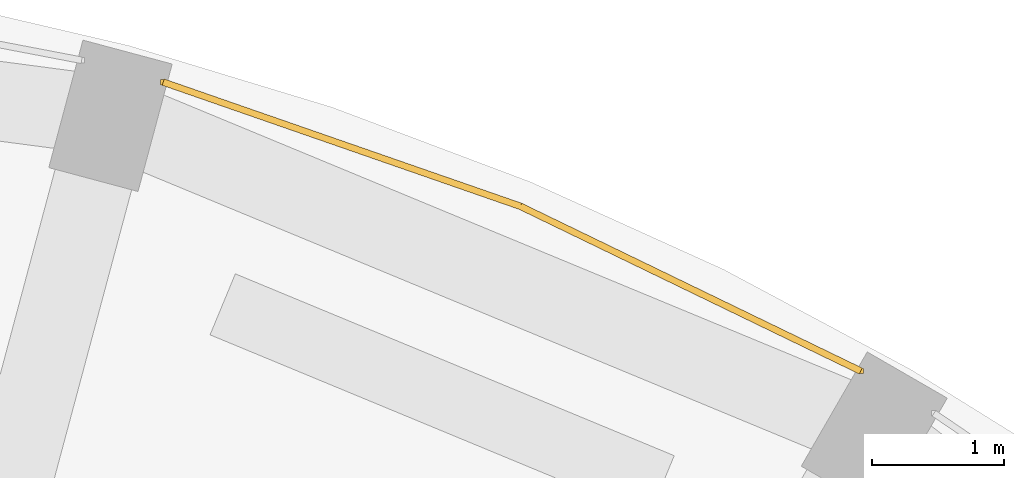
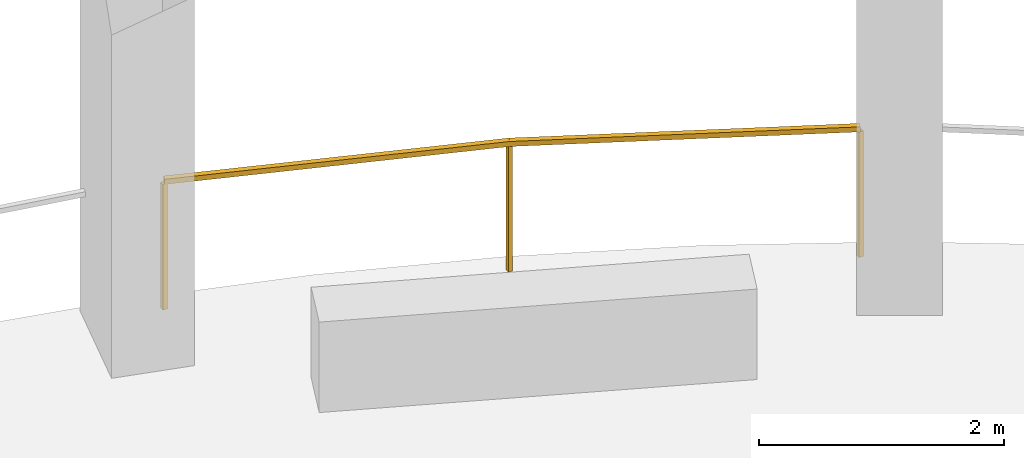
# One storey, part 9 of 9: 1 railing.
"""IFC4 building model written with IfcOpenShell, lengths in metres."""

from ifc_helpers import new_model, si_unit, direction, frame, origin, origin_2d, place, context, subcontext, project, spatial, rectangle, extrude, material, type_object, element, save


model = new_model("IFC4")

# Units and contexts
model_context = context("Model", 3, precision=1e-05, world=origin(), true_north=direction((0.0, 1.0)))
body_context = subcontext(model_context, "Body", "Model", "MODEL_VIEW")
ifc_project = project(units=[si_unit("LENGTHUNIT", "METRE"), si_unit("AREAUNIT", "SQUARE_METRE"), si_unit("VOLUMEUNIT", "CUBIC_METRE"), si_unit("PLANEANGLEUNIT", "RADIAN"), si_unit("MASSUNIT", "GRAM", prefix="KILO")], contexts=[model_context])

# Site, building, storey
site_placement = place(None, origin())
site = spatial("IfcSite", under=ifc_project, at=site_placement, CompositionType="ELEMENT")
building_placement = place(site_placement, origin())
building = spatial("IfcBuilding", under=site, at=building_placement, Name="Torre Triforio", CompositionType="ELEMENT")
storey_placement = place(building_placement, frame((0.0, 0.0, 233.5)))
storey = spatial("IfcBuildingStorey", under=building, at=storey_placement, Name="L53", CompositionType="ELEMENT", Elevation=233.5)

# Railing
ifc_material = material(Name="Stainless steel AISI 316", Category="steel")
railing_type = type_object("IfcRailingType", Name="Loggia guard 1300", PredefinedType="GUARDRAIL", material=ifc_material)
railing_placement = place(storey_placement, frame((11.89794921875, 21.247802734375, 0.0)))
element("IfcRailing", 1, at=railing_placement, inside=storey, type_object=railing_type, Name="Loggia guard L53 bay 05", PredefinedType="GUARDRAIL", context=body_context, shape_type="SweptSolid", body=[
    extrude(rectangle(XDim=0.050048828125, YDim=0.050048828125, at=origin_2d()), frame((0.0, 0.0, 1.27490234375), z_axis=(-0.900078431046, 0.435727917358, 0.0), x_axis=(-0.435727917358, -0.900078431046, 0.0)), (0.0, 0.0, 1.0), 2.865966796875),
    extrude(rectangle(XDim=0.050048828125, YDim=0.050048828125, at=origin_2d()), frame((-2.57958984375, 1.248779296875, 1.27490234375), z_axis=(-0.944568028123, 0.328315763022, 0.0), x_axis=(-0.328315763022, -0.944568028123, 0.0)), (0.0, 0.0, 1.0), 2.865966796875),
    extrude(rectangle(XDim=0.0400390625, YDim=0.0400390625, at=origin_2d()), origin(), (0.0, 0.0, 1.0), 1.25),
    extrude(rectangle(XDim=0.0400390625, YDim=0.0400390625, at=origin_2d()), frame((-2.57958984375, 1.248779296875, 0.0)), (0.0, 0.0, 1.0), 1.25),
    extrude(rectangle(XDim=0.0400390625, YDim=0.0400390625, at=origin_2d()), frame((-5.28662109375, 2.189697265625, 0.0)), (0.0, 0.0, 1.0), 1.25),
])

save(model, "model.ifc")
